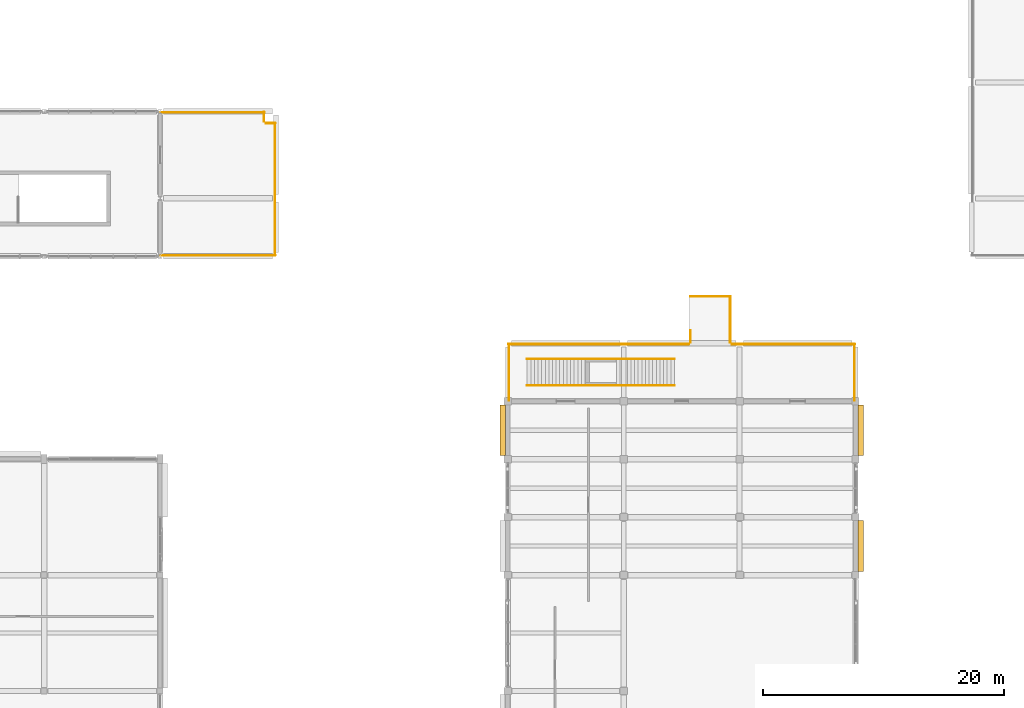
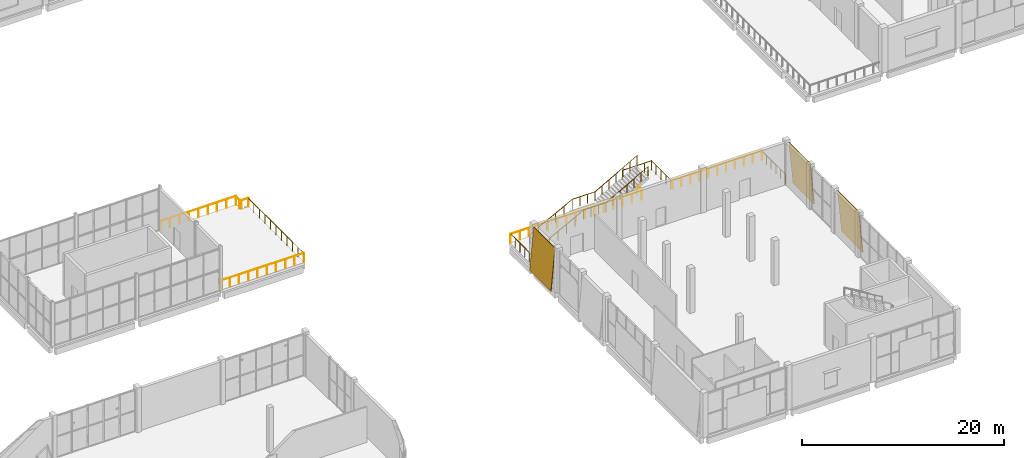
# One storey, part 72 of 83: 14 railings, 3 coverings.
"""IFC4 building model written with IfcOpenShell, lengths in metres."""

import ifcopenshell
import ifcopenshell.guid

model = None  # the IFC model being written
_history = None  # IfcOwnerHistory: only IFC2X3 demands one
_inside = {}  # id of a spatial element -> (the spatial element, [elements in it])
_under = {}  # id of a project, library or spatial element -> (it, [spatial elements below it])
_declared = {}  # id of a project -> (the project, [libraries it declares])
_typed = {}  # id of a type object -> (the type object, [elements of that type])
_made_of = {}  # id of a material, layer set ... -> (it, [elements and type objects made of it])


def new_model(schema):
    """Start an empty IFC model of exactly this schema.

    Asked for "IFC4X3", IfcOpenShell would pick the latest addendum, in which some entities
    have other attributes; the version numbers below select the first issue.
    IFC2X3 requires an IfcOwnerHistory on every rooted entity: one is made here for all.
    """
    global model, _history
    if schema == "IFC4X3":
        model = ifcopenshell.file(schema_version=(4, 3, 0, 0))
    else:
        model = ifcopenshell.file(schema=schema)
    _inside.clear()
    _under.clear()
    _declared.clear()
    _typed.clear()
    _made_of.clear()
    _history = None
    if model.schema == "IFC2X3":
        org = make("IfcOrganization", Name="unknown")
        user = make(
            "IfcPersonAndOrganization",
            ThePerson=make("IfcPerson", FamilyName="unknown"),
            TheOrganization=org,
        )
        app = make(
            "IfcApplication",
            ApplicationDeveloper=org,
            Version="unknown",
            ApplicationFullName="unknown",
            ApplicationIdentifier="unknown",
        )
        _history = make(
            "IfcOwnerHistory",
            OwningUser=user,
            OwningApplication=app,
            ChangeAction="ADDED",
            CreationDate=0,
        )
    return model


def make(cls, **values):
    """One entity of the class cls with the attributes given. An attribute that is None is left unset."""
    return model.create_entity(
        cls, **{name: value for name, value in values.items() if value is not None}
    )


def rooted(cls, **values):
    """An entity with a GlobalId (a new one), such as an element, a storey or a relation."""
    return make(cls, GlobalId=ifcopenshell.guid.new(), OwnerHistory=_history, **values)


def si_unit(unit_type, name, prefix=None):
    """IfcSIUnit, for example si_unit("LENGTHUNIT", "METRE", prefix="MILLI")."""
    return make("IfcSIUnit", UnitType=unit_type, Prefix=prefix, Name=name)


def assignment(units):
    """IfcUnitAssignment: the units of a project."""
    return None if units is None else make("IfcUnitAssignment", Units=units)


def point(xyz):
    """IfcCartesianPoint."""
    return None if xyz is None else make("IfcCartesianPoint", Coordinates=xyz)


def direction(xyz):
    """IfcDirection."""
    return None if xyz is None else make("IfcDirection", DirectionRatios=xyz)


def frame(location, z_axis=None, x_axis=None):
    """IfcAxis2Placement3D, a coordinate frame: its origin and axes. An axis left out is left unset."""
    return make(
        "IfcAxis2Placement3D",
        Location=point(location),
        Axis=direction(z_axis),
        RefDirection=direction(x_axis),
    )


def frame_2d(location, x_axis=None):
    """IfcAxis2Placement2D, a coordinate frame in the plane: its origin and x axis."""
    return make(
        "IfcAxis2Placement2D", Location=point(location), RefDirection=direction(x_axis)
    )


def origin():
    """The frame at (0, 0, 0) with its axes left unset."""
    return frame((0.0, 0.0, 0.0))


def origin_2d():
    """The frame at (0, 0) in the plane with its x axis left unset."""
    return frame_2d((0.0, 0.0))


def place(relative_to, where):
    """IfcLocalPlacement: puts the frame where relative to a parent placement (None: the world)."""
    return make(
        "IfcLocalPlacement", PlacementRelTo=relative_to, RelativePlacement=where
    )


def context(
    kind, dimensions, precision=None, world=None, true_north=None, identifier=None
):
    """IfcGeometricRepresentationContext, for example the 3D "Model" context."""
    return make(
        "IfcGeometricRepresentationContext",
        ContextIdentifier=identifier,
        ContextType=kind,
        CoordinateSpaceDimension=dimensions,
        Precision=precision,
        WorldCoordinateSystem=world,
        TrueNorth=true_north,
    )


def subcontext(parent, identifier, kind, view, scale=None):
    """IfcGeometricRepresentationSubContext, for example "Body" below "Model"."""
    return make(
        "IfcGeometricRepresentationSubContext",
        ContextIdentifier=identifier,
        ContextType=kind,
        ParentContext=parent,
        TargetScale=scale,
        TargetView=view,
    )


def project(units=None, contexts=None):
    """IfcProject with its units and contexts."""
    return rooted(
        "IfcProject",
        Name="project",
        RepresentationContexts=contexts,
        UnitsInContext=assignment(units),
    )


def spatial(cls, under=None, at=None, **own):
    """A site, building, storey or space (cls), placed at a placement, below another one or the project."""
    s = rooted(cls, ObjectPlacement=at, **own)
    if under is not None:
        _under.setdefault(under.id(), (under, []))[1].append(s)
    return s


def polyline(points):
    """IfcPolyline through the points."""
    return make("IfcPolyline", Points=[point(p) for p in points])


def profile(cls, at=None, kind="AREA", **sizes):
    """A parametric profile (cls). Its sizes go by their IFC names, for example OverallWidth=200.0."""
    return make(cls, ProfileType=kind, Position=at, **sizes)


def circle(**sizes):
    """IfcCircleProfileDef."""
    return profile("IfcCircleProfileDef", **sizes)


def outline(outer, holes=None, kind="AREA"):
    """IfcArbitraryClosedProfileDef: a profile drawn as a closed curve; with holes, ...WithVoids."""
    if holes is None:
        return make("IfcArbitraryClosedProfileDef", ProfileType=kind, OuterCurve=outer)
    return make(
        "IfcArbitraryProfileDefWithVoids",
        ProfileType=kind,
        OuterCurve=outer,
        InnerCurves=holes,
    )


def extrude(swept, where, along, depth):
    """IfcExtrudedAreaSolid: the profile swept, set in the frame where, extruded along a direction by depth."""
    return make(
        "IfcExtrudedAreaSolid",
        SweptArea=swept,
        Position=where,
        ExtrudedDirection=direction(along),
        Depth=depth,
    )


def shape(context_of_items, identifier, shape_type, items):
    """IfcShapeRepresentation: the items that make up one representation, for example the "Body"."""
    return make(
        "IfcShapeRepresentation",
        ContextOfItems=context_of_items,
        RepresentationIdentifier=identifier,
        RepresentationType=shape_type,
        Items=items,
    )


def material(Name=None, Category=None):
    """IfcMaterial."""
    return make("IfcMaterial", Name=Name, Category=Category)


def layer(
    of_material, thickness, ventilated=None, Name=None, Category=None, Priority=None
):
    """IfcMaterialLayer: one layer of a wall or slab, of a material (None: an air gap)."""
    return make(
        "IfcMaterialLayer",
        Material=of_material,
        LayerThickness=thickness,
        IsVentilated=ventilated,
        Name=Name,
        Category=Category,
        Priority=Priority,
    )


def layer_set(layers, Name=None):
    """IfcMaterialLayerSet."""
    return make("IfcMaterialLayerSet", MaterialLayers=layers, LayerSetName=Name)


def made_of(thing, what):
    """Note that an element or type object is made of a material, layer set ...; save() writes the relation."""
    if what is not None:
        _made_of.setdefault(what.id(), (what, []))[1].append(thing)
    return thing


def type_object(cls, material=None, **own):
    """A type object (cls), such as IfcWallType, which elements share."""
    return made_of(rooted(cls, **own), material)


def element(
    cls,
    number,
    at=None,
    inside=None,
    cuts=None,
    type_object=None,
    material=None,
    context=None,
    identifier="Body",
    shape_type=None,
    held_by="IfcProductDefinitionShape",
    body=None,
    shapes=None,
    **own,
):
    """One element of the class cls, such as IfcWall. Its Tag is "e" and its number.

    at: its placement. inside: the storey or other place that contains it. cuts: it is an
    opening in that element (IfcRelVoidsElement). A single representation is given by context,
    identifier, shape_type and body (its items); several are given by shapes. held_by: the class
    of the entity that holds the representations. save() writes the other relations.
    """
    e = rooted(cls, Tag="e%d" % number, ObjectPlacement=at, **own)
    if body is not None:
        shapes = [shape(context, identifier, shape_type, body)]
    if shapes is not None:
        e.Representation = make(held_by, Representations=shapes)
    if inside is not None:
        _inside.setdefault(inside.id(), (inside, []))[1].append(e)
    if cuts is not None:
        rooted(
            "IfcRelVoidsElement", RelatingBuildingElement=cuts, RelatedOpeningElement=e
        )
    if type_object is not None:
        _typed.setdefault(type_object.id(), (type_object, []))[1].append(e)
    return made_of(e, material)


def aggregate(whole, parts):
    """IfcRelAggregates: a whole, such as a stair, and the parts it consists of."""
    return rooted("IfcRelAggregates", RelatingObject=whole, RelatedObjects=parts)


def save(model, path):
    """Write the relations noted so far, then the file.

    IfcRelAggregates (storeys below a building ...), IfcRelContainedInSpatialStructure (elements
    in a storey), IfcRelDefinesByType, IfcRelAssociatesMaterial and IfcRelDeclares: one each for
    every whole, place, type object, material and project.
    """
    for whole, parts in _under.values():
        aggregate(whole, parts)
    for where, things in _inside.values():
        rooted(
            "IfcRelContainedInSpatialStructure",
            RelatedElements=things,
            RelatingStructure=where,
        )
    for kind, things in _typed.values():
        rooted("IfcRelDefinesByType", RelatedObjects=things, RelatingType=kind)
    for what, things in _made_of.values():
        rooted("IfcRelAssociatesMaterial", RelatedObjects=things, RelatingMaterial=what)
    for by, libraries in _declared.values():
        rooted("IfcRelDeclares", RelatingContext=by, RelatedDefinitions=libraries)
    model.write(path)


model = new_model("IFC4")

# Units and contexts
model_context = context("Model", 3, precision=1e-05, world=origin(), true_north=direction((0.0, 1.0)))
body_context = subcontext(model_context, "Body", "Model", "MODEL_VIEW")
ifc_project = project(units=[si_unit("LENGTHUNIT", "METRE"), si_unit("AREAUNIT", "SQUARE_METRE"), si_unit("VOLUMEUNIT", "CUBIC_METRE"), si_unit("PLANEANGLEUNIT", "RADIAN"), si_unit("MASSUNIT", "GRAM", prefix="KILO")], contexts=[model_context])

# Site, building, storey
site_placement = place(None, origin())
site = spatial("IfcSite", under=ifc_project, at=site_placement, CompositionType="ELEMENT")
building_placement = place(site_placement, origin())
building = spatial("IfcBuilding", under=site, at=building_placement, Name="Shalvenor Court Art Gallery", CompositionType="ELEMENT")
storey_placement = place(building_placement, frame((0.0, 0.0, 6.0)))
storey = spatial("IfcBuildingStorey", under=building, at=storey_placement, Name="L01", CompositionType="ELEMENT", Elevation=6.0)

# Coverings
ifc_material_1 = material(Name="Pale Mediterranean limestone cladding", Category="masonry")
ifc_layer = layer(ifc_material_1, 0.080078125, Name="Pale Mediterranean limestone cladding")
ifc_layer_set = layer_set([ifc_layer], Name="Pale Mediterranean limestone cladding")
covering_type = type_object("IfcCoveringType", Name="CLD-01", PredefinedType="CLADDING", material=ifc_layer_set)
for number, where, z_axis, x_axis, name in (
    (1, (125.452392578125, 29.10009765625, 0.0), (0.0, 0.0, 1.0), (0.0, 1.0, 0.0), "L01 V3 Tapered Limestone Cladding 46"),
    (2, (125.452392578125, 19.5, 0.0), (0.0, 0.0, 1.0), (0.0, 1.0, 0.0), "L01 V3 Tapered Limestone Cladding 47"),
    (3, (95.34765625, 33.300048828125, 0.0), (0.0, 0.0, 1.0), (0.0, -1.0, 0.0), "L01 V3 Tapered Limestone Cladding 51"),
):
    element("IfcCovering", number, at=place(storey_placement, frame(where, z_axis=z_axis, x_axis=x_axis)), inside=storey, type_object=covering_type, Name=name, PredefinedType="CLADDING", context=body_context, shape_type="SweptSolid", body=[
        extrude(outline(polyline([(0.0, 0.0), (4.199951171875, 0.0), (4.199951171875, 5.10107421875), (0.0, 5.10107421875), (0.0, 0.0)])), frame((0.0, 0.0, 0.0), z_axis=(0.0, -0.995884398616, 0.090632580198), x_axis=(1.0, 0.0, 0.0)), (0.0, 0.090632580198, -0.995884398616), 0.080322265625),
    ])

# Railings
ifc_material_2 = material(Name="Stainless steel and laminated glass balustrade", Category="steel")
railing_type = type_object("IfcRailingType", Name="GR-01", PredefinedType="BALUSTRADE", material=ifc_material_2)
railing_1_placement = place(storey_placement, frame((124.719970703125, 38.340087890625, 0.0)))
element("IfcRailing", 4, at=railing_1_placement, inside=storey, type_object=railing_type, Name="L01 V3 Terrace Balustrade 18", PredefinedType="BALUSTRADE", context=body_context, shape_type="SweptSolid", body=[
    extrude(circle(Radius=0.02392578125, at=origin_2d()), frame((0.0, 0.0, 1.09619140625), z_axis=(0.0, -1.0, 0.0), x_axis=(1.0, 0.0, 0.0)), (0.0, 0.0, 1.0), 4.68017578125),
    extrude(circle(Radius=0.02099609375, at=origin_2d()), origin(), (0.0, 0.0, 1.0), 1.072021484375),
    extrude(circle(Radius=0.02099609375, at=origin_2d()), frame((0.0, -0.93603515625, 0.0)), (0.0, 0.0, 1.0), 1.072021484375),
    extrude(circle(Radius=0.02099609375, at=origin_2d()), frame((0.0, -1.8720703125, 0.0)), (0.0, 0.0, 1.0), 1.072021484375),
    extrude(circle(Radius=0.02099609375, at=origin_2d()), frame((0.0, -2.80810546875, 0.0)), (0.0, 0.0, 1.0), 1.072021484375),
    extrude(circle(Radius=0.02099609375, at=origin_2d()), frame((0.0, -3.744140625, 0.0)), (0.0, 0.0, 1.0), 1.072021484375),
    extrude(circle(Radius=0.02099609375, at=origin_2d()), frame((0.0, -4.68017578125, 0.0)), (0.0, 0.0, 1.0), 1.072021484375),
])
railing_2_placement = place(storey_placement, frame((96.080078125, 33.659912109375, 0.0)))
element("IfcRailing", 5, at=railing_2_placement, inside=storey, type_object=railing_type, Name="L01 V3 Terrace Balustrade 19", PredefinedType="BALUSTRADE", context=body_context, shape_type="SweptSolid", body=[
    extrude(circle(Radius=0.02392578125, at=origin_2d()), frame((0.0, 0.0, 1.09619140625), z_axis=(0.0, 1.0, 0.0), x_axis=(-1.0, 0.0, 0.0)), (0.0, 0.0, 1.0), 4.68017578125),
    extrude(circle(Radius=0.02099609375, at=origin_2d()), origin(), (0.0, 0.0, 1.0), 1.072021484375),
    extrude(circle(Radius=0.02099609375, at=origin_2d()), frame((0.0, 0.93603515625, 0.0)), (0.0, 0.0, 1.0), 1.072021484375),
    extrude(circle(Radius=0.02099609375, at=origin_2d()), frame((0.0, 1.8720703125, 0.0)), (0.0, 0.0, 1.0), 1.072021484375),
    extrude(circle(Radius=0.02099609375, at=origin_2d()), frame((0.0, 2.80810546875, 0.0)), (0.0, 0.0, 1.0), 1.072021484375),
    extrude(circle(Radius=0.02099609375, at=origin_2d()), frame((0.0, 3.744140625, 0.0)), (0.0, 0.0, 1.0), 1.072021484375),
    extrude(circle(Radius=0.02099609375, at=origin_2d()), frame((0.0, 4.68017578125, 0.0)), (0.0, 0.0, 1.0), 1.072021484375),
])
railing_3_placement = place(storey_placement, frame((96.06005859375, 38.320068359375, 0.0)))
element("IfcRailing", 6, at=railing_3_placement, inside=storey, type_object=railing_type, Name="L01 V3 Terrace Balustrade 20", PredefinedType="BALUSTRADE", context=body_context, shape_type="SweptSolid", body=[
    extrude(circle(Radius=0.02392578125, at=origin_2d()), frame((0.0, 0.0, 1.09619140625), z_axis=(1.0, 0.0, 0.0), x_axis=(0.0, 1.0, 0.0)), (0.0, 0.0, 1.0), 14.929931640625),
    extrude(circle(Radius=0.02099609375, at=origin_2d()), origin(), (0.0, 0.0, 1.0), 1.072021484375),
    extrude(circle(Radius=0.02099609375, at=origin_2d()), frame((1.06640625, 0.0, 0.0)), (0.0, 0.0, 1.0), 1.072021484375),
    extrude(circle(Radius=0.02099609375, at=origin_2d()), frame((2.1328125, 0.0, 0.0)), (0.0, 0.0, 1.0), 1.072021484375),
    extrude(circle(Radius=0.02099609375, at=origin_2d()), frame((3.19921875, 0.0, 0.0)), (0.0, 0.0, 1.0), 1.072021484375),
    extrude(circle(Radius=0.02099609375, at=origin_2d()), frame((4.265625, 0.0, 0.0)), (0.0, 0.0, 1.0), 1.072021484375),
    extrude(circle(Radius=0.02099609375, at=origin_2d()), frame((5.33203125, 0.0, 0.0)), (0.0, 0.0, 1.0), 1.072021484375),
    extrude(circle(Radius=0.02099609375, at=origin_2d()), frame((6.3984375, 0.0, 0.0)), (0.0, 0.0, 1.0), 1.072021484375),
    extrude(circle(Radius=0.02099609375, at=origin_2d()), frame((7.46484375, 0.0, 0.0)), (0.0, 0.0, 1.0), 1.072021484375),
    extrude(circle(Radius=0.02099609375, at=origin_2d()), frame((8.531494140625, 0.0, 0.0)), (0.0, 0.0, 1.0), 1.072021484375),
    extrude(circle(Radius=0.02099609375, at=origin_2d()), frame((9.597900390625, 0.0, 0.0)), (0.0, 0.0, 1.0), 1.072021484375),
    extrude(circle(Radius=0.02099609375, at=origin_2d()), frame((10.664306640625, 0.0, 0.0)), (0.0, 0.0, 1.0), 1.072021484375),
    extrude(circle(Radius=0.02099609375, at=origin_2d()), frame((11.730712890625, 0.0, 0.0)), (0.0, 0.0, 1.0), 1.072021484375),
    extrude(circle(Radius=0.02099609375, at=origin_2d()), frame((12.797119140625, 0.0, 0.0)), (0.0, 0.0, 1.0), 1.072021484375),
    extrude(circle(Radius=0.02099609375, at=origin_2d()), frame((13.863525390625, 0.0, 0.0)), (0.0, 0.0, 1.0), 1.072021484375),
    extrude(circle(Radius=0.02099609375, at=origin_2d()), frame((14.929931640625, 0.0, 0.0)), (0.0, 0.0, 1.0), 1.072021484375),
])
railing_4_placement = place(storey_placement, frame((111.1298828125, 38.4599609375, 0.0)))
element("IfcRailing", 7, at=railing_4_placement, inside=storey, type_object=railing_type, Name="L01 V3 Terrace Balustrade 21", PredefinedType="BALUSTRADE", context=body_context, shape_type="SweptSolid", body=[
    extrude(circle(Radius=0.02392578125, at=origin_2d()), frame((0.0, 0.0, 1.09619140625), z_axis=(0.0, 1.0, 0.0), x_axis=(-1.0, 0.0, 0.0)), (0.0, 0.0, 1.0), 0.989990234375),
    extrude(circle(Radius=0.02099609375, at=origin_2d()), origin(), (0.0, 0.0, 1.0), 1.072021484375),
    extrude(circle(Radius=0.02099609375, at=origin_2d()), frame((0.0, 0.989990234375, 0.0)), (0.0, 0.0, 1.0), 1.072021484375),
])
railing_5_placement = place(storey_placement, frame((111.110107421875, 42.27001953125, 0.0)))
element("IfcRailing", 8, at=railing_5_placement, inside=storey, type_object=railing_type, Name="L01 V3 Terrace Balustrade 22", PredefinedType="BALUSTRADE", context=body_context, shape_type="SweptSolid", body=[
    extrude(circle(Radius=0.02392578125, at=origin_2d()), frame((0.0, 0.0, 1.09619140625), z_axis=(1.0, 0.0, 0.0), x_axis=(0.0, 1.0, 0.0)), (0.0, 0.0, 1.0), 3.329833984375),
    extrude(circle(Radius=0.02099609375, at=origin_2d()), origin(), (0.0, 0.0, 1.0), 1.072021484375),
    extrude(circle(Radius=0.02099609375, at=origin_2d()), frame((0.83251953125, 0.0, 0.0)), (0.0, 0.0, 1.0), 1.072021484375),
    extrude(circle(Radius=0.02099609375, at=origin_2d()), frame((1.6650390625, 0.0, 0.0)), (0.0, 0.0, 1.0), 1.072021484375),
    extrude(circle(Radius=0.02099609375, at=origin_2d()), frame((2.497314453125, 0.0, 0.0)), (0.0, 0.0, 1.0), 1.072021484375),
    extrude(circle(Radius=0.02099609375, at=origin_2d()), frame((3.329833984375, 0.0, 0.0)), (0.0, 0.0, 1.0), 1.072021484375),
])
railing_6_placement = place(storey_placement, frame((114.419921875, 42.2900390625, 0.0)))
element("IfcRailing", 9, at=railing_6_placement, inside=storey, type_object=railing_type, Name="L01 V3 Terrace Balustrade 23", PredefinedType="BALUSTRADE", context=body_context, shape_type="SweptSolid", body=[
    extrude(circle(Radius=0.02392578125, at=origin_2d()), frame((0.0, 0.0, 1.09619140625), z_axis=(0.0, -1.0, 0.0), x_axis=(1.0, 0.0, 0.0)), (0.0, 0.0, 1.0), 3.830078125),
    extrude(circle(Radius=0.02099609375, at=origin_2d()), origin(), (0.0, 0.0, 1.0), 1.072021484375),
    extrude(circle(Radius=0.02099609375, at=origin_2d()), frame((0.0, -0.95751953125, 0.0)), (0.0, 0.0, 1.0), 1.072021484375),
    extrude(circle(Radius=0.02099609375, at=origin_2d()), frame((0.0, -1.9150390625, 0.0)), (0.0, 0.0, 1.0), 1.072021484375),
    extrude(circle(Radius=0.02099609375, at=origin_2d()), frame((0.0, -2.87255859375, 0.0)), (0.0, 0.0, 1.0), 1.072021484375),
    extrude(circle(Radius=0.02099609375, at=origin_2d()), frame((0.0, -3.830078125, 0.0)), (0.0, 0.0, 1.0), 1.072021484375),
])
railing_7_placement = place(storey_placement, frame((114.56005859375, 38.320068359375, 0.0)))
element("IfcRailing", 10, at=railing_7_placement, inside=storey, type_object=railing_type, Name="L01 V3 Terrace Balustrade 24", PredefinedType="BALUSTRADE", context=body_context, shape_type="SweptSolid", body=[
    extrude(circle(Radius=0.02392578125, at=origin_2d()), frame((0.0, 0.0, 1.09619140625), z_axis=(1.0, 0.0, 0.0), x_axis=(0.0, 1.0, 0.0)), (0.0, 0.0, 1.0), 10.179931640625),
    extrude(circle(Radius=0.02099609375, at=origin_2d()), origin(), (0.0, 0.0, 1.0), 1.072021484375),
    extrude(circle(Radius=0.02099609375, at=origin_2d()), frame((1.01806640625, 0.0, 0.0)), (0.0, 0.0, 1.0), 1.072021484375),
    extrude(circle(Radius=0.02099609375, at=origin_2d()), frame((2.035888671875, 0.0, 0.0)), (0.0, 0.0, 1.0), 1.072021484375),
    extrude(circle(Radius=0.02099609375, at=origin_2d()), frame((3.053955078125, 0.0, 0.0)), (0.0, 0.0, 1.0), 1.072021484375),
    extrude(circle(Radius=0.02099609375, at=origin_2d()), frame((4.072021484375, 0.0, 0.0)), (0.0, 0.0, 1.0), 1.072021484375),
    extrude(circle(Radius=0.02099609375, at=origin_2d()), frame((5.08984375, 0.0, 0.0)), (0.0, 0.0, 1.0), 1.072021484375),
    extrude(circle(Radius=0.02099609375, at=origin_2d()), frame((6.10791015625, 0.0, 0.0)), (0.0, 0.0, 1.0), 1.072021484375),
    extrude(circle(Radius=0.02099609375, at=origin_2d()), frame((7.1259765625, 0.0, 0.0)), (0.0, 0.0, 1.0), 1.072021484375),
    extrude(circle(Radius=0.02099609375, at=origin_2d()), frame((8.14404296875, 0.0, 0.0)), (0.0, 0.0, 1.0), 1.072021484375),
    extrude(circle(Radius=0.02099609375, at=origin_2d()), frame((9.161865234375, 0.0, 0.0)), (0.0, 0.0, 1.0), 1.072021484375),
    extrude(circle(Radius=0.02099609375, at=origin_2d()), frame((10.179931640625, 0.0, 0.0)), (0.0, 0.0, 1.0), 1.072021484375),
])
railing_8_placement = place(storey_placement, frame((76.739990234375, 45.679931640625, 0.0)))
element("IfcRailing", 11, at=railing_8_placement, inside=storey, type_object=railing_type, Name="L01 V6 Terrace Balustrade 61", PredefinedType="BALUSTRADE", context=body_context, shape_type="SweptSolid", body=[
    extrude(circle(Radius=0.02392578125, at=origin_2d()), frame((0.0, 0.0, 1.09619140625), z_axis=(-1.0, 0.0, 0.0), x_axis=(0.0, -1.0, 0.0)), (0.0, 0.0, 1.0), 9.47998046875),
    extrude(circle(Radius=0.02099609375, at=origin_2d()), origin(), (0.0, 0.0, 1.0), 1.072021484375),
    extrude(circle(Radius=0.02099609375, at=origin_2d()), frame((-1.05322265625, 0.0, 0.0)), (0.0, 0.0, 1.0), 1.072021484375),
    extrude(circle(Radius=0.02099609375, at=origin_2d()), frame((-2.106689453125, 0.0, 0.0)), (0.0, 0.0, 1.0), 1.072021484375),
    extrude(circle(Radius=0.02099609375, at=origin_2d()), frame((-3.159912109375, 0.0, 0.0)), (0.0, 0.0, 1.0), 1.072021484375),
    extrude(circle(Radius=0.02099609375, at=origin_2d()), frame((-4.21337890625, 0.0, 0.0)), (0.0, 0.0, 1.0), 1.072021484375),
    extrude(circle(Radius=0.02099609375, at=origin_2d()), frame((-5.2666015625, 0.0, 0.0)), (0.0, 0.0, 1.0), 1.072021484375),
    extrude(circle(Radius=0.02099609375, at=origin_2d()), frame((-6.320068359375, 0.0, 0.0)), (0.0, 0.0, 1.0), 1.072021484375),
    extrude(circle(Radius=0.02099609375, at=origin_2d()), frame((-7.373291015625, 0.0, 0.0)), (0.0, 0.0, 1.0), 1.072021484375),
    extrude(circle(Radius=0.02099609375, at=origin_2d()), frame((-8.4267578125, 0.0, 0.0)), (0.0, 0.0, 1.0), 1.072021484375),
    extrude(circle(Radius=0.02099609375, at=origin_2d()), frame((-9.47998046875, 0.0, 0.0)), (0.0, 0.0, 1.0), 1.072021484375),
])
railing_9_placement = place(storey_placement, frame((67.260009765625, 57.52001953125, 0.0)))
element("IfcRailing", 12, at=railing_9_placement, inside=storey, type_object=railing_type, Name="L01 V6 Terrace Balustrade 62", PredefinedType="BALUSTRADE", context=body_context, shape_type="SweptSolid", body=[
    extrude(circle(Radius=0.02392578125, at=origin_2d()), frame((0.0, 0.0, 1.09619140625), z_axis=(1.0, 0.0, 0.0), x_axis=(0.0, 1.0, 0.0)), (0.0, 0.0, 1.0), 8.580078125),
    extrude(circle(Radius=0.02099609375, at=origin_2d()), origin(), (0.0, 0.0, 1.0), 1.072021484375),
    extrude(circle(Radius=0.02099609375, at=origin_2d()), frame((1.072509765625, 0.0, 0.0)), (0.0, 0.0, 1.0), 1.072021484375),
    extrude(circle(Radius=0.02099609375, at=origin_2d()), frame((2.14501953125, 0.0, 0.0)), (0.0, 0.0, 1.0), 1.072021484375),
    extrude(circle(Radius=0.02099609375, at=origin_2d()), frame((3.217529296875, 0.0, 0.0)), (0.0, 0.0, 1.0), 1.072021484375),
    extrude(circle(Radius=0.02099609375, at=origin_2d()), frame((4.2900390625, 0.0, 0.0)), (0.0, 0.0, 1.0), 1.072021484375),
    extrude(circle(Radius=0.02099609375, at=origin_2d()), frame((5.362548828125, 0.0, 0.0)), (0.0, 0.0, 1.0), 1.072021484375),
    extrude(circle(Radius=0.02099609375, at=origin_2d()), frame((6.43505859375, 0.0, 0.0)), (0.0, 0.0, 1.0), 1.072021484375),
    extrude(circle(Radius=0.02099609375, at=origin_2d()), frame((7.507568359375, 0.0, 0.0)), (0.0, 0.0, 1.0), 1.072021484375),
    extrude(circle(Radius=0.02099609375, at=origin_2d()), frame((8.580078125, 0.0, 0.0)), (0.0, 0.0, 1.0), 1.072021484375),
])
railing_10_placement = place(storey_placement, frame((75.820068359375, 57.5400390625, 0.0)))
element("IfcRailing", 13, at=railing_10_placement, inside=storey, type_object=railing_type, Name="L01 V6 Terrace Balustrade 63", PredefinedType="BALUSTRADE", context=body_context, shape_type="SweptSolid", body=[
    extrude(circle(Radius=0.02392578125, at=origin_2d()), frame((0.0, 0.0, 1.09619140625), z_axis=(0.0, -1.0, 0.0), x_axis=(1.0, 0.0, 0.0)), (0.0, 0.0, 1.0), 0.780029296875),
    extrude(circle(Radius=0.02099609375, at=origin_2d()), origin(), (0.0, 0.0, 1.0), 1.072021484375),
    extrude(circle(Radius=0.02099609375, at=origin_2d()), frame((0.0, -0.780029296875, 0.0)), (0.0, 0.0, 1.0), 1.072021484375),
])
railing_11_placement = place(storey_placement, frame((75.9599609375, 56.6201171875, 0.0)))
element("IfcRailing", 14, at=railing_11_placement, inside=storey, type_object=railing_type, Name="L01 V6 Terrace Balustrade 64", PredefinedType="BALUSTRADE", context=body_context, shape_type="SweptSolid", body=[
    extrude(circle(Radius=0.02392578125, at=origin_2d()), frame((0.0, 0.0, 1.09619140625), z_axis=(1.0, 0.0, 0.0), x_axis=(0.0, 1.0, 0.0)), (0.0, 0.0, 1.0), 0.780029296875),
    extrude(circle(Radius=0.02099609375, at=origin_2d()), origin(), (0.0, 0.0, 1.0), 1.072021484375),
    extrude(circle(Radius=0.02099609375, at=origin_2d()), frame((0.780029296875, 0.0, 0.0)), (0.0, 0.0, 1.0), 1.072021484375),
])
railing_12_placement = place(storey_placement, frame((76.719970703125, 56.639892578125, 0.0)))
element("IfcRailing", 15, at=railing_12_placement, inside=storey, type_object=railing_type, Name="L01 V6 Terrace Balustrade 65", PredefinedType="BALUSTRADE", context=body_context, shape_type="SweptSolid", body=[
    extrude(circle(Radius=0.02392578125, at=origin_2d()), frame((0.0, 0.0, 1.09619140625), z_axis=(0.0, -1.0, 0.0), x_axis=(1.0, 0.0, 0.0)), (0.0, 0.0, 1.0), 10.97998046875),
    extrude(circle(Radius=0.02099609375, at=origin_2d()), origin(), (0.0, 0.0, 1.0), 1.072021484375),
    extrude(circle(Radius=0.02099609375, at=origin_2d()), frame((0.0, -1.097900390625, 0.0)), (0.0, 0.0, 1.0), 1.072021484375),
    extrude(circle(Radius=0.02099609375, at=origin_2d()), frame((0.0, -2.196044921875, 0.0)), (0.0, 0.0, 1.0), 1.072021484375),
    extrude(circle(Radius=0.02099609375, at=origin_2d()), frame((0.0, -3.2939453125, 0.0)), (0.0, 0.0, 1.0), 1.072021484375),
    extrude(circle(Radius=0.02099609375, at=origin_2d()), frame((0.0, -4.39208984375, 0.0)), (0.0, 0.0, 1.0), 1.072021484375),
    extrude(circle(Radius=0.02099609375, at=origin_2d()), frame((0.0, -5.489990234375, 0.0)), (0.0, 0.0, 1.0), 1.072021484375),
    extrude(circle(Radius=0.02099609375, at=origin_2d()), frame((0.0, -6.587890625, 0.0)), (0.0, 0.0, 1.0), 1.072021484375),
    extrude(circle(Radius=0.02099609375, at=origin_2d()), frame((0.0, -7.68603515625, 0.0)), (0.0, 0.0, 1.0), 1.072021484375),
    extrude(circle(Radius=0.02099609375, at=origin_2d()), frame((0.0, -8.783935546875, 0.0)), (0.0, 0.0, 1.0), 1.072021484375),
    extrude(circle(Radius=0.02099609375, at=origin_2d()), frame((0.0, -9.882080078125, 0.0)), (0.0, 0.0, 1.0), 1.072021484375),
    extrude(circle(Radius=0.02099609375, at=origin_2d()), frame((0.0, -10.97998046875, 0.0)), (0.0, 0.0, 1.0), 1.072021484375),
])
railing_13_placement = place(storey_placement, frame((97.60009765625, 34.909912109375, 0.15869140625)))
element("IfcRailing", 16, at=railing_13_placement, inside=storey, type_object=railing_type, Name="L01 ST-T3 Outdoor Stair Balustrade S", PredefinedType="BALUSTRADE", context=body_context, shape_type="SweptSolid", body=[
    extrude(circle(Radius=0.02392578125, at=origin_2d()), frame((0.0, 0.0, 1.09619140625), z_axis=(0.883773701108, 0.0, 0.467914570439), x_axis=(0.0, 1.0, 0.0)), (0.0, 0.0, 1.0), 5.43115234375),
    extrude(circle(Radius=0.02392578125, at=origin_2d()), frame((4.7998046875, 0.0, 3.63720703125), z_axis=(1.0, 0.0, 0.0), x_axis=(0.0, 1.0, 0.0)), (0.0, 0.0, 1.0), 2.60009765625),
    extrude(circle(Radius=0.02392578125, at=origin_2d()), frame((7.39990234375, 0.0, 3.63720703125), z_axis=(0.871581456561, 0.0, 0.490250716042), x_axis=(0.0, 1.0, 0.0)), (0.0, 0.0, 1.0), 5.50732421875),
    extrude(circle(Radius=0.02099609375, at=origin_2d()), origin(), (0.0, 0.0, 1.0), 1.072021484375),
    extrude(circle(Radius=0.02099609375, at=origin_2d()), frame((0.9599609375, 0.0, 0.50830078125)), (0.0, 0.0, 1.0), 1.072021484375),
    extrude(circle(Radius=0.02099609375, at=origin_2d()), frame((1.919921875, 0.0, 1.0166015625)), (0.0, 0.0, 1.0), 1.072021484375),
    extrude(circle(Radius=0.02099609375, at=origin_2d()), frame((2.8798828125, 0.0, 1.524658203125)), (0.0, 0.0, 1.0), 1.072021484375),
    extrude(circle(Radius=0.02099609375, at=origin_2d()), frame((3.83984375, 0.0, 2.032958984375)), (0.0, 0.0, 1.0), 1.072021484375),
    extrude(circle(Radius=0.02099609375, at=origin_2d()), frame((4.7998046875, 0.0, 2.541259765625)), (0.0, 0.0, 1.0), 1.072021484375),
    extrude(circle(Radius=0.02099609375, at=origin_2d()), frame((5.66650390625, 0.0, 2.541259765625)), (0.0, 0.0, 1.0), 1.072021484375),
    extrude(circle(Radius=0.02099609375, at=origin_2d()), frame((6.533203125, 0.0, 2.541259765625)), (0.0, 0.0, 1.0), 1.072021484375),
    extrude(circle(Radius=0.02099609375, at=origin_2d()), frame((7.39990234375, 0.0, 2.541259765625)), (0.0, 0.0, 1.0), 1.072021484375),
    extrude(circle(Radius=0.02099609375, at=origin_2d()), frame((8.199951171875, 0.0, 2.9912109375)), (0.0, 0.0, 1.0), 1.072021484375),
    extrude(circle(Radius=0.02099609375, at=origin_2d()), frame((9.0, 0.0, 3.441162109375)), (0.0, 0.0, 1.0), 1.072021484375),
    extrude(circle(Radius=0.02099609375, at=origin_2d()), frame((9.7998046875, 0.0, 3.89111328125)), (0.0, 0.0, 1.0), 1.072021484375),
    extrude(circle(Radius=0.02099609375, at=origin_2d()), frame((10.599853515625, 0.0, 4.34130859375)), (0.0, 0.0, 1.0), 1.072021484375),
    extrude(circle(Radius=0.02099609375, at=origin_2d()), frame((11.39990234375, 0.0, 4.791259765625)), (0.0, 0.0, 1.0), 1.072021484375),
    extrude(circle(Radius=0.02099609375, at=origin_2d()), frame((12.199951171875, 0.0, 5.2412109375)), (0.0, 0.0, 1.0), 1.072021484375),
])
railing_14_placement = place(storey_placement, frame((97.60009765625, 37.090087890625, 0.15869140625)))
element("IfcRailing", 17, at=railing_14_placement, inside=storey, type_object=railing_type, Name="L01 ST-T3 Outdoor Stair Balustrade N", PredefinedType="BALUSTRADE", context=body_context, shape_type="SweptSolid", body=[
    extrude(circle(Radius=0.02392578125, at=origin_2d()), frame((0.0, 0.0, 1.09619140625), z_axis=(0.883773701108, 0.0, 0.467914570439), x_axis=(0.0, 1.0, 0.0)), (0.0, 0.0, 1.0), 5.43115234375),
    extrude(circle(Radius=0.02392578125, at=origin_2d()), frame((4.7998046875, 0.0, 3.63720703125), z_axis=(1.0, 0.0, 0.0), x_axis=(0.0, 1.0, 0.0)), (0.0, 0.0, 1.0), 2.60009765625),
    extrude(circle(Radius=0.02392578125, at=origin_2d()), frame((7.39990234375, 0.0, 3.63720703125), z_axis=(0.871581456561, 0.0, 0.490250716042), x_axis=(0.0, 1.0, 0.0)), (0.0, 0.0, 1.0), 5.50732421875),
    extrude(circle(Radius=0.02099609375, at=origin_2d()), origin(), (0.0, 0.0, 1.0), 1.072021484375),
    extrude(circle(Radius=0.02099609375, at=origin_2d()), frame((0.9599609375, 0.0, 0.50830078125)), (0.0, 0.0, 1.0), 1.072021484375),
    extrude(circle(Radius=0.02099609375, at=origin_2d()), frame((1.919921875, 0.0, 1.0166015625)), (0.0, 0.0, 1.0), 1.072021484375),
    extrude(circle(Radius=0.02099609375, at=origin_2d()), frame((2.8798828125, 0.0, 1.524658203125)), (0.0, 0.0, 1.0), 1.072021484375),
    extrude(circle(Radius=0.02099609375, at=origin_2d()), frame((3.83984375, 0.0, 2.032958984375)), (0.0, 0.0, 1.0), 1.072021484375),
    extrude(circle(Radius=0.02099609375, at=origin_2d()), frame((4.7998046875, 0.0, 2.541259765625)), (0.0, 0.0, 1.0), 1.072021484375),
    extrude(circle(Radius=0.02099609375, at=origin_2d()), frame((5.66650390625, 0.0, 2.541259765625)), (0.0, 0.0, 1.0), 1.072021484375),
    extrude(circle(Radius=0.02099609375, at=origin_2d()), frame((6.533203125, 0.0, 2.541259765625)), (0.0, 0.0, 1.0), 1.072021484375),
    extrude(circle(Radius=0.02099609375, at=origin_2d()), frame((7.39990234375, 0.0, 2.541259765625)), (0.0, 0.0, 1.0), 1.072021484375),
    extrude(circle(Radius=0.02099609375, at=origin_2d()), frame((8.199951171875, 0.0, 2.9912109375)), (0.0, 0.0, 1.0), 1.072021484375),
    extrude(circle(Radius=0.02099609375, at=origin_2d()), frame((9.0, 0.0, 3.441162109375)), (0.0, 0.0, 1.0), 1.072021484375),
    extrude(circle(Radius=0.02099609375, at=origin_2d()), frame((9.7998046875, 0.0, 3.89111328125)), (0.0, 0.0, 1.0), 1.072021484375),
    extrude(circle(Radius=0.02099609375, at=origin_2d()), frame((10.599853515625, 0.0, 4.34130859375)), (0.0, 0.0, 1.0), 1.072021484375),
    extrude(circle(Radius=0.02099609375, at=origin_2d()), frame((11.39990234375, 0.0, 4.791259765625)), (0.0, 0.0, 1.0), 1.072021484375),
    extrude(circle(Radius=0.02099609375, at=origin_2d()), frame((12.199951171875, 0.0, 5.2412109375)), (0.0, 0.0, 1.0), 1.072021484375),
])

save(model, "model.ifc")
